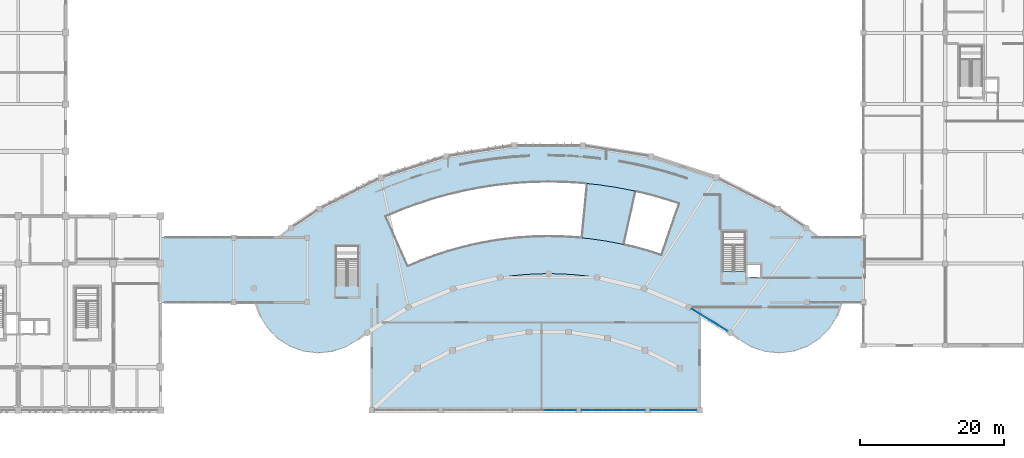
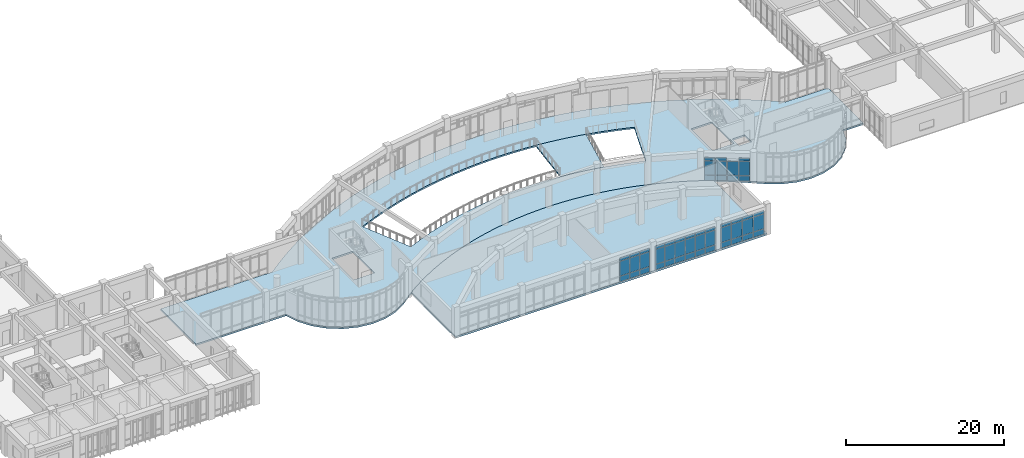
# One storey, part 41 of 68: 50 plates, 3 slabs, 5 elements without a shape of their own.
"""IFC4 building model written with IfcOpenShell, lengths in metres."""

from ifc_helpers import new_model, si_unit, direction, frame, origin, origin_2d, place, context, subcontext, project, spatial, polyline, rectangle, outline, extrude, material, layer, layer_set, type_object, element, aggregate, save


model = new_model("IFC4")

# Units and contexts
model_context = context("Model", 3, precision=1e-05, world=origin(), true_north=direction((0.0, 1.0)))
body_context = subcontext(model_context, "Body", "Model", "MODEL_VIEW")
ifc_project = project(units=[si_unit("LENGTHUNIT", "METRE"), si_unit("AREAUNIT", "SQUARE_METRE"), si_unit("VOLUMEUNIT", "CUBIC_METRE"), si_unit("PLANEANGLEUNIT", "RADIAN"), si_unit("MASSUNIT", "GRAM", prefix="KILO")], contexts=[model_context])

# Site, building, storey
site_placement = place(None, origin())
site = spatial("IfcSite", under=ifc_project, at=site_placement, CompositionType="ELEMENT")
building_placement = place(site_placement, origin())
building = spatial("IfcBuilding", under=site, at=building_placement, Name="Miralva Faculty of Natural Sciences", CompositionType="ELEMENT")
storey_placement = place(building_placement, frame((0.0, 0.0, 5.39990234375)))
storey = spatial("IfcBuildingStorey", under=building, at=storey_placement, Name="L01", CompositionType="ELEMENT", Elevation=5.39990234375)

# Curtain wall, plates
ifc_material_1 = material(Name="Laminated solar-control glass", Category="glass")
ifc_layer_1 = layer(ifc_material_1, 0.179931640625, Name="CW-ARC-L01")
ifc_layer_set_1 = layer_set([ifc_layer_1], Name="Laminated solar-control glass")
curtain_wall_type_1 = type_object("IfcCurtainWallType", Name="CW-ARC-L01", PredefinedType="USERDEFINED", material=ifc_layer_set_1)
curtain_wall_1_placement = place(storey_placement, origin())
curtain_wall_1 = element("IfcCurtainWall", 1, at=curtain_wall_1_placement, inside=storey, type_object=curtain_wall_type_1, Name="Curtain wall CW-02 L01-29", ObjectType="UNITISED CURTAIN WALL", PredefinedType="USERDEFINED")
ifc_layer_2 = layer(ifc_material_1, 0.028076171875, Name="PNL-P01")
ifc_layer_set_2 = layer_set([ifc_layer_2], Name="Laminated solar-control glass")
plate_type_1 = type_object("IfcPlateType", Name="PNL-P01", PredefinedType="CURTAIN_PANEL", material=ifc_layer_set_2)
plate_1_placement = place(storey_placement, frame((110.5263671875, 16.697509765625, 0.06494140625), z_axis=(0.0, 0.0, 1.0), x_axis=(0.852649987617, -0.522482534269, 0.0)))
plate_1 = element("IfcPlate", 2, at=plate_1_placement, type_object=plate_type_1, Name="CW-02 panel 1.1", PredefinedType="CURTAIN_PANEL", context=body_context, shape_type="SweptSolid", body=[
    extrude(rectangle(XDim=1.376953125, YDim=0.028076171875, at=origin_2d()), origin(), (0.0, 0.0, 1.0), 0.802490234375),
])
plate_2_placement = place(storey_placement, frame((110.5263671875, 16.697509765625, 0.9326171875), z_axis=(0.0, 0.0, 1.0), x_axis=(0.852649987617, -0.522482534269, 0.0)))
plate_2 = element("IfcPlate", 3, at=plate_2_placement, type_object=plate_type_1, Name="CW-02 panel 1.2", PredefinedType="CURTAIN_PANEL", context=body_context, shape_type="SweptSolid", body=[
    extrude(rectangle(XDim=1.376953125, YDim=0.028076171875, at=origin_2d()), origin(), (0.0, 0.0, 1.0), 2.139892578125),
])
plate_3_placement = place(storey_placement, frame((110.5263671875, 16.697509765625, 3.1376953125), z_axis=(0.0, 0.0, 1.0), x_axis=(0.852649987617, -0.522482534269, 0.0)))
plate_3 = element("IfcPlate", 4, at=plate_3_placement, type_object=plate_type_1, Name="CW-02 panel 1.3", PredefinedType="CURTAIN_PANEL", context=body_context, shape_type="SweptSolid", body=[
    extrude(rectangle(XDim=1.376953125, YDim=0.028076171875, at=origin_2d()), origin(), (0.0, 0.0, 1.0), 0.50244140625),
])
plate_4_placement = place(storey_placement, frame((111.755859375, 15.944091796875, 0.06494140625), z_axis=(0.0, 0.0, 1.0), x_axis=(0.852649987617, -0.522482534269, 0.0)))
plate_4 = element("IfcPlate", 5, at=plate_4_placement, type_object=plate_type_1, Name="CW-02 panel 2.1", PredefinedType="CURTAIN_PANEL", context=body_context, shape_type="SweptSolid", body=[
    extrude(rectangle(XDim=1.376953125, YDim=0.028076171875, at=origin_2d()), origin(), (0.0, 0.0, 1.0), 0.802490234375),
])
plate_5_placement = place(storey_placement, frame((111.755859375, 15.944091796875, 0.9326171875), z_axis=(0.0, 0.0, 1.0), x_axis=(0.852649987617, -0.522482534269, 0.0)))
plate_5 = element("IfcPlate", 6, at=plate_5_placement, type_object=plate_type_1, Name="CW-02 panel 2.2", PredefinedType="CURTAIN_PANEL", context=body_context, shape_type="SweptSolid", body=[
    extrude(rectangle(XDim=1.376953125, YDim=0.028076171875, at=origin_2d()), origin(), (0.0, 0.0, 1.0), 2.139892578125),
])
plate_6_placement = place(storey_placement, frame((111.755859375, 15.944091796875, 3.1376953125), z_axis=(0.0, 0.0, 1.0), x_axis=(0.852649987617, -0.522482534269, 0.0)))
plate_6 = element("IfcPlate", 7, at=plate_6_placement, type_object=plate_type_1, Name="CW-02 panel 2.3", PredefinedType="CURTAIN_PANEL", context=body_context, shape_type="SweptSolid", body=[
    extrude(rectangle(XDim=1.376953125, YDim=0.028076171875, at=origin_2d()), origin(), (0.0, 0.0, 1.0), 0.50244140625),
])
aggregate(curtain_wall_1, [plate_1, plate_2, plate_3, plate_4, plate_5, plate_6])

curtain_wall_2_placement = place(storey_placement, origin())
curtain_wall_2 = element("IfcCurtainWall", 8, at=curtain_wall_2_placement, inside=storey, type_object=curtain_wall_type_1, Name="Curtain wall CW-02 L01-30", ObjectType="UNITISED CURTAIN WALL", PredefinedType="USERDEFINED")
plate_7_placement = place(storey_placement, frame((113.037353515625, 15.15869140625, 0.06494140625), z_axis=(0.0, 0.0, 1.0), x_axis=(0.852646014098, -0.522489018681, 0.0)))
plate_7 = element("IfcPlate", 9, at=plate_7_placement, type_object=plate_type_1, Name="CW-02 panel 1.1", PredefinedType="CURTAIN_PANEL", context=body_context, shape_type="SweptSolid", body=[
    extrude(rectangle(XDim=1.37939453125, YDim=0.028076171875, at=origin_2d()), origin(), (0.0, 0.0, 1.0), 0.802490234375),
])
plate_8_placement = place(storey_placement, frame((113.037353515625, 15.15869140625, 0.9326171875), z_axis=(0.0, 0.0, 1.0), x_axis=(0.852646014098, -0.522489018681, 0.0)))
plate_8 = element("IfcPlate", 10, at=plate_8_placement, type_object=plate_type_1, Name="CW-02 panel 1.2", PredefinedType="CURTAIN_PANEL", context=body_context, shape_type="SweptSolid", body=[
    extrude(rectangle(XDim=1.37939453125, YDim=0.028076171875, at=origin_2d()), origin(), (0.0, 0.0, 1.0), 2.139892578125),
])
plate_9_placement = place(storey_placement, frame((114.268798828125, 14.404052734375, 0.06494140625), z_axis=(0.0, 0.0, 1.0), x_axis=(0.852646014098, -0.522489018681, 0.0)))
plate_9 = element("IfcPlate", 11, at=plate_9_placement, type_object=plate_type_1, Name="CW-02 panel 2.1", PredefinedType="CURTAIN_PANEL", context=body_context, shape_type="SweptSolid", body=[
    extrude(rectangle(XDim=1.37939453125, YDim=0.028076171875, at=origin_2d()), origin(), (0.0, 0.0, 1.0), 0.802490234375),
])
plate_10_placement = place(storey_placement, frame((114.268798828125, 14.404052734375, 0.9326171875), z_axis=(0.0, 0.0, 1.0), x_axis=(0.852646014098, -0.522489018681, 0.0)))
plate_10 = element("IfcPlate", 12, at=plate_10_placement, type_object=plate_type_1, Name="CW-02 panel 2.2", PredefinedType="CURTAIN_PANEL", context=body_context, shape_type="SweptSolid", body=[
    extrude(rectangle(XDim=1.37939453125, YDim=0.028076171875, at=origin_2d()), origin(), (0.0, 0.0, 1.0), 2.139892578125),
])
plate_11_placement = place(storey_placement, frame((114.268798828125, 14.404052734375, 3.1376953125), z_axis=(0.0, 0.0, 1.0), x_axis=(0.852646014098, -0.522489018681, 0.0)))
plate_11 = element("IfcPlate", 13, at=plate_11_placement, type_object=plate_type_1, Name="CW-02 panel 2.3", PredefinedType="CURTAIN_PANEL", context=body_context, shape_type="SweptSolid", body=[
    extrude(rectangle(XDim=1.37939453125, YDim=0.028076171875, at=origin_2d()), origin(), (0.0, 0.0, 1.0), 0.50244140625),
])
aggregate(curtain_wall_2, [plate_7, plate_8, plate_9, plate_10, plate_11])

ifc_layer_3 = layer(ifc_material_1, 0.179931640625, Name="CW-LEC-L01")
ifc_layer_set_3 = layer_set([ifc_layer_3], Name="Laminated solar-control glass")
curtain_wall_type_2 = type_object("IfcCurtainWallType", Name="CW-LEC-L01", PredefinedType="USERDEFINED", material=ifc_layer_set_3)
curtain_wall_3_placement = place(storey_placement, origin())
curtain_wall_3 = element("IfcCurtainWall", 14, at=curtain_wall_3_placement, inside=storey, type_object=curtain_wall_type_2, Name="Curtain wall CW-08 L01-208", ObjectType="UNITISED CURTAIN WALL", PredefinedType="USERDEFINED")
ifc_layer_4 = layer(ifc_material_1, 0.031982421875, Name="PNL-P02")
ifc_layer_set_4 = layer_set([ifc_layer_4], Name="Laminated solar-control glass")
plate_type_2 = type_object("IfcPlateType", Name="PNL-P02", PredefinedType="CURTAIN_PANEL", material=ifc_layer_set_4)
plate_12_placement = place(storey_placement, frame((90.13916015625, 3.0, 0.06494140625), z_axis=(0.0, 0.0, 1.0), x_axis=(1.0, 0.0, 0.0)))
plate_12 = element("IfcPlate", 15, at=plate_12_placement, type_object=plate_type_2, Name="CW-08 panel 4.1", PredefinedType="CURTAIN_PANEL", context=body_context, shape_type="SweptSolid", body=[
    extrude(rectangle(XDim=1.413330078125, YDim=0.031982421875, at=origin_2d()), origin(), (0.0, 0.0, 1.0), 0.802490234375),
])
plate_13_placement = place(storey_placement, frame((90.13916015625, 3.0, 0.9326171875), z_axis=(0.0, 0.0, 1.0), x_axis=(1.0, 0.0, 0.0)))
plate_13 = element("IfcPlate", 16, at=plate_13_placement, type_object=plate_type_2, Name="CW-08 panel 4.2", PredefinedType="CURTAIN_PANEL", context=body_context, shape_type="SweptSolid", body=[
    extrude(rectangle(XDim=1.413330078125, YDim=0.031982421875, at=origin_2d()), origin(), (0.0, 0.0, 1.0), 2.260009765625),
])
plate_14_placement = place(storey_placement, frame((90.13916015625, 3.0, 3.257568359375), z_axis=(0.0, 0.0, 1.0), x_axis=(1.0, 0.0, 0.0)))
plate_14 = element("IfcPlate", 17, at=plate_14_placement, type_object=plate_type_2, Name="CW-08 panel 4.3", PredefinedType="CURTAIN_PANEL", context=body_context, shape_type="SweptSolid", body=[
    extrude(rectangle(XDim=1.413330078125, YDim=0.031982421875, at=origin_2d()), origin(), (0.0, 0.0, 1.0), 0.50244140625),
])
plate_15_placement = place(storey_placement, frame((91.617431640625, 3.0, 0.06494140625), z_axis=(0.0, 0.0, 1.0), x_axis=(1.0, 0.0, 0.0)))
plate_15 = element("IfcPlate", 18, at=plate_15_placement, type_object=plate_type_2, Name="CW-08 panel 5.1", PredefinedType="CURTAIN_PANEL", context=body_context, shape_type="SweptSolid", body=[
    extrude(rectangle(XDim=1.413330078125, YDim=0.031982421875, at=origin_2d()), origin(), (0.0, 0.0, 1.0), 0.802490234375),
])
plate_16_placement = place(storey_placement, frame((91.617431640625, 3.0, 0.9326171875), z_axis=(0.0, 0.0, 1.0), x_axis=(1.0, 0.0, 0.0)))
plate_16 = element("IfcPlate", 19, at=plate_16_placement, type_object=plate_type_2, Name="CW-08 panel 5.2", PredefinedType="CURTAIN_PANEL", context=body_context, shape_type="SweptSolid", body=[
    extrude(rectangle(XDim=1.413330078125, YDim=0.031982421875, at=origin_2d()), origin(), (0.0, 0.0, 1.0), 2.260009765625),
])
plate_17_placement = place(storey_placement, frame((91.617431640625, 3.0, 3.257568359375), z_axis=(0.0, 0.0, 1.0), x_axis=(1.0, 0.0, 0.0)))
plate_17 = element("IfcPlate", 20, at=plate_17_placement, type_object=plate_type_2, Name="CW-08 panel 5.3", PredefinedType="CURTAIN_PANEL", context=body_context, shape_type="SweptSolid", body=[
    extrude(rectangle(XDim=1.413330078125, YDim=0.031982421875, at=origin_2d()), origin(), (0.0, 0.0, 1.0), 0.50244140625),
])
plate_18_placement = place(storey_placement, frame((93.07958984375, 3.0, 0.06494140625), z_axis=(0.0, 0.0, 1.0), x_axis=(1.0, 0.0, 0.0)))
plate_18 = element("IfcPlate", 21, at=plate_18_placement, type_object=plate_type_2, Name="CW-08 panel 6.1", PredefinedType="CURTAIN_PANEL", context=body_context, shape_type="SweptSolid", body=[
    extrude(rectangle(XDim=1.380859375, YDim=0.031982421875, at=origin_2d()), origin(), (0.0, 0.0, 1.0), 0.802490234375),
])
plate_19_placement = place(storey_placement, frame((93.07958984375, 3.0, 0.9326171875), z_axis=(0.0, 0.0, 1.0), x_axis=(1.0, 0.0, 0.0)))
plate_19 = element("IfcPlate", 22, at=plate_19_placement, type_object=plate_type_2, Name="CW-08 panel 6.2", PredefinedType="CURTAIN_PANEL", context=body_context, shape_type="SweptSolid", body=[
    extrude(rectangle(XDim=1.380859375, YDim=0.031982421875, at=origin_2d()), origin(), (0.0, 0.0, 1.0), 2.260009765625),
])
plate_20_placement = place(storey_placement, frame((93.07958984375, 3.0, 3.257568359375), z_axis=(0.0, 0.0, 1.0), x_axis=(1.0, 0.0, 0.0)))
plate_20 = element("IfcPlate", 23, at=plate_20_placement, type_object=plate_type_2, Name="CW-08 panel 6.3", PredefinedType="CURTAIN_PANEL", context=body_context, shape_type="SweptSolid", body=[
    extrude(rectangle(XDim=1.380859375, YDim=0.031982421875, at=origin_2d()), origin(), (0.0, 0.0, 1.0), 0.50244140625),
])
aggregate(curtain_wall_3, [plate_12, plate_13, plate_14, plate_15, plate_16, plate_17, plate_18, plate_19, plate_20])

curtain_wall_4_placement = place(storey_placement, origin())
curtain_wall_4 = element("IfcCurtainWall", 24, at=curtain_wall_4_placement, inside=storey, type_object=curtain_wall_type_2, Name="Curtain wall CW-08 L01-209", ObjectType="UNITISED CURTAIN WALL", PredefinedType="USERDEFINED")
plate_21_placement = place(storey_placement, frame((95.3203125, 3.0, 0.06494140625), z_axis=(0.0, 0.0, 1.0), x_axis=(1.0, 0.0, 0.0)))
plate_21 = element("IfcPlate", 25, at=plate_21_placement, type_object=plate_type_2, Name="CW-08 panel 1.1", PredefinedType="CURTAIN_PANEL", context=body_context, shape_type="SweptSolid", body=[
    extrude(rectangle(XDim=1.380859375, YDim=0.031982421875, at=origin_2d()), origin(), (0.0, 0.0, 1.0), 0.802490234375),
])
plate_22_placement = place(storey_placement, frame((95.3203125, 3.0, 0.9326171875), z_axis=(0.0, 0.0, 1.0), x_axis=(1.0, 0.0, 0.0)))
plate_22 = element("IfcPlate", 26, at=plate_22_placement, type_object=plate_type_2, Name="CW-08 panel 1.2", PredefinedType="CURTAIN_PANEL", context=body_context, shape_type="SweptSolid", body=[
    extrude(rectangle(XDim=1.380859375, YDim=0.031982421875, at=origin_2d()), origin(), (0.0, 0.0, 1.0), 2.260009765625),
])
plate_23_placement = place(storey_placement, frame((95.3203125, 3.0, 3.257568359375), z_axis=(0.0, 0.0, 1.0), x_axis=(1.0, 0.0, 0.0)))
plate_23 = element("IfcPlate", 27, at=plate_23_placement, type_object=plate_type_2, Name="CW-08 panel 1.3", PredefinedType="CURTAIN_PANEL", context=body_context, shape_type="SweptSolid", body=[
    extrude(rectangle(XDim=1.380859375, YDim=0.031982421875, at=origin_2d()), origin(), (0.0, 0.0, 1.0), 0.50244140625),
])
plate_24_placement = place(storey_placement, frame((96.782470703125, 3.0, 0.06494140625), z_axis=(0.0, 0.0, 1.0), x_axis=(1.0, 0.0, 0.0)))
plate_24 = element("IfcPlate", 28, at=plate_24_placement, type_object=plate_type_2, Name="CW-08 panel 2.1", PredefinedType="CURTAIN_PANEL", context=body_context, shape_type="SweptSolid", body=[
    extrude(rectangle(XDim=1.413330078125, YDim=0.031982421875, at=origin_2d()), origin(), (0.0, 0.0, 1.0), 0.802490234375),
])
plate_25_placement = place(storey_placement, frame((96.782470703125, 3.0, 0.9326171875), z_axis=(0.0, 0.0, 1.0), x_axis=(1.0, 0.0, 0.0)))
plate_25 = element("IfcPlate", 29, at=plate_25_placement, type_object=plate_type_2, Name="CW-08 panel 2.2", PredefinedType="CURTAIN_PANEL", context=body_context, shape_type="SweptSolid", body=[
    extrude(rectangle(XDim=1.413330078125, YDim=0.031982421875, at=origin_2d()), origin(), (0.0, 0.0, 1.0), 2.260009765625),
])
plate_26_placement = place(storey_placement, frame((96.782470703125, 3.0, 3.257568359375), z_axis=(0.0, 0.0, 1.0), x_axis=(1.0, 0.0, 0.0)))
plate_26 = element("IfcPlate", 30, at=plate_26_placement, type_object=plate_type_2, Name="CW-08 panel 2.3", PredefinedType="CURTAIN_PANEL", context=body_context, shape_type="SweptSolid", body=[
    extrude(rectangle(XDim=1.413330078125, YDim=0.031982421875, at=origin_2d()), origin(), (0.0, 0.0, 1.0), 0.50244140625),
])
plate_27_placement = place(storey_placement, frame((98.2607421875, 3.0, 0.06494140625), z_axis=(0.0, 0.0, 1.0), x_axis=(1.0, 0.0, 0.0)))
plate_27 = element("IfcPlate", 31, at=plate_27_placement, type_object=plate_type_2, Name="CW-08 panel 3.1", PredefinedType="CURTAIN_PANEL", context=body_context, shape_type="SweptSolid", body=[
    extrude(rectangle(XDim=1.413330078125, YDim=0.031982421875, at=origin_2d()), origin(), (0.0, 0.0, 1.0), 0.802490234375),
])
plate_28_placement = place(storey_placement, frame((98.2607421875, 3.0, 0.9326171875), z_axis=(0.0, 0.0, 1.0), x_axis=(1.0, 0.0, 0.0)))
plate_28 = element("IfcPlate", 32, at=plate_28_placement, type_object=plate_type_2, Name="CW-08 panel 3.2", PredefinedType="CURTAIN_PANEL", context=body_context, shape_type="SweptSolid", body=[
    extrude(rectangle(XDim=1.413330078125, YDim=0.031982421875, at=origin_2d()), origin(), (0.0, 0.0, 1.0), 2.260009765625),
])
plate_29_placement = place(storey_placement, frame((98.2607421875, 3.0, 3.257568359375), z_axis=(0.0, 0.0, 1.0), x_axis=(1.0, 0.0, 0.0)))
plate_29 = element("IfcPlate", 33, at=plate_29_placement, type_object=plate_type_2, Name="CW-08 panel 3.3", PredefinedType="CURTAIN_PANEL", context=body_context, shape_type="SweptSolid", body=[
    extrude(rectangle(XDim=1.413330078125, YDim=0.031982421875, at=origin_2d()), origin(), (0.0, 0.0, 1.0), 0.50244140625),
])
plate_30_placement = place(storey_placement, frame((99.7392578125, 3.0, 0.06494140625), z_axis=(0.0, 0.0, 1.0), x_axis=(1.0, 0.0, 0.0)))
plate_30 = element("IfcPlate", 34, at=plate_30_placement, type_object=plate_type_2, Name="CW-08 panel 4.1", PredefinedType="CURTAIN_PANEL", context=body_context, shape_type="SweptSolid", body=[
    extrude(rectangle(XDim=1.413330078125, YDim=0.031982421875, at=origin_2d()), origin(), (0.0, 0.0, 1.0), 0.802490234375),
])
plate_31_placement = place(storey_placement, frame((99.7392578125, 3.0, 0.9326171875), z_axis=(0.0, 0.0, 1.0), x_axis=(1.0, 0.0, 0.0)))
plate_31 = element("IfcPlate", 35, at=plate_31_placement, type_object=plate_type_2, Name="CW-08 panel 4.2", PredefinedType="CURTAIN_PANEL", context=body_context, shape_type="SweptSolid", body=[
    extrude(rectangle(XDim=1.413330078125, YDim=0.031982421875, at=origin_2d()), origin(), (0.0, 0.0, 1.0), 2.260009765625),
])
plate_32_placement = place(storey_placement, frame((99.7392578125, 3.0, 3.257568359375), z_axis=(0.0, 0.0, 1.0), x_axis=(1.0, 0.0, 0.0)))
plate_32 = element("IfcPlate", 36, at=plate_32_placement, type_object=plate_type_2, Name="CW-08 panel 4.3", PredefinedType="CURTAIN_PANEL", context=body_context, shape_type="SweptSolid", body=[
    extrude(rectangle(XDim=1.413330078125, YDim=0.031982421875, at=origin_2d()), origin(), (0.0, 0.0, 1.0), 0.50244140625),
])
plate_33_placement = place(storey_placement, frame((101.217529296875, 3.0, 0.06494140625), z_axis=(0.0, 0.0, 1.0), x_axis=(1.0, 0.0, 0.0)))
plate_33 = element("IfcPlate", 37, at=plate_33_placement, type_object=plate_type_2, Name="CW-08 panel 5.1", PredefinedType="CURTAIN_PANEL", context=body_context, shape_type="SweptSolid", body=[
    extrude(rectangle(XDim=1.413330078125, YDim=0.031982421875, at=origin_2d()), origin(), (0.0, 0.0, 1.0), 0.802490234375),
])
plate_34_placement = place(storey_placement, frame((101.217529296875, 3.0, 0.9326171875), z_axis=(0.0, 0.0, 1.0), x_axis=(1.0, 0.0, 0.0)))
plate_34 = element("IfcPlate", 38, at=plate_34_placement, type_object=plate_type_2, Name="CW-08 panel 5.2", PredefinedType="CURTAIN_PANEL", context=body_context, shape_type="SweptSolid", body=[
    extrude(rectangle(XDim=1.413330078125, YDim=0.031982421875, at=origin_2d()), origin(), (0.0, 0.0, 1.0), 2.260009765625),
])
plate_35_placement = place(storey_placement, frame((101.217529296875, 3.0, 3.257568359375), z_axis=(0.0, 0.0, 1.0), x_axis=(1.0, 0.0, 0.0)))
plate_35 = element("IfcPlate", 39, at=plate_35_placement, type_object=plate_type_2, Name="CW-08 panel 5.3", PredefinedType="CURTAIN_PANEL", context=body_context, shape_type="SweptSolid", body=[
    extrude(rectangle(XDim=1.413330078125, YDim=0.031982421875, at=origin_2d()), origin(), (0.0, 0.0, 1.0), 0.50244140625),
])
plate_36_placement = place(storey_placement, frame((102.6796875, 3.0, 0.06494140625), z_axis=(0.0, 0.0, 1.0), x_axis=(1.0, 0.0, 0.0)))
plate_36 = element("IfcPlate", 40, at=plate_36_placement, type_object=plate_type_2, Name="CW-08 panel 6.1", PredefinedType="CURTAIN_PANEL", context=body_context, shape_type="SweptSolid", body=[
    extrude(rectangle(XDim=1.380859375, YDim=0.031982421875, at=origin_2d()), origin(), (0.0, 0.0, 1.0), 0.802490234375),
])
plate_37_placement = place(storey_placement, frame((102.6796875, 3.0, 0.9326171875), z_axis=(0.0, 0.0, 1.0), x_axis=(1.0, 0.0, 0.0)))
plate_37 = element("IfcPlate", 41, at=plate_37_placement, type_object=plate_type_2, Name="CW-08 panel 6.2", PredefinedType="CURTAIN_PANEL", context=body_context, shape_type="SweptSolid", body=[
    extrude(rectangle(XDim=1.380859375, YDim=0.031982421875, at=origin_2d()), origin(), (0.0, 0.0, 1.0), 2.260009765625),
])
plate_38_placement = place(storey_placement, frame((102.6796875, 3.0, 3.257568359375), z_axis=(0.0, 0.0, 1.0), x_axis=(1.0, 0.0, 0.0)))
plate_38 = element("IfcPlate", 42, at=plate_38_placement, type_object=plate_type_2, Name="CW-08 panel 6.3", PredefinedType="CURTAIN_PANEL", context=body_context, shape_type="SweptSolid", body=[
    extrude(rectangle(XDim=1.380859375, YDim=0.031982421875, at=origin_2d()), origin(), (0.0, 0.0, 1.0), 0.50244140625),
])
aggregate(curtain_wall_4, [plate_21, plate_22, plate_23, plate_24, plate_25, plate_26, plate_27, plate_28, plate_29, plate_30, plate_31, plate_32, plate_33, plate_34, plate_35, plate_36, plate_37, plate_38])

curtain_wall_5_placement = place(storey_placement, origin())
curtain_wall_5 = element("IfcCurtainWall", 43, at=curtain_wall_5_placement, inside=storey, type_object=curtain_wall_type_2, Name="Curtain wall CW-08 L01-210", ObjectType="UNITISED CURTAIN WALL", PredefinedType="USERDEFINED")
plate_39_placement = place(storey_placement, frame((104.989990234375, 3.0, 0.06494140625), z_axis=(0.0, 0.0, 1.0), x_axis=(1.0, 0.0, 0.0)))
plate_39 = element("IfcPlate", 44, at=plate_39_placement, type_object=plate_type_2, Name="CW-08 panel 1.1", PredefinedType="CURTAIN_PANEL", context=body_context, shape_type="SweptSolid", body=[
    extrude(rectangle(XDim=1.52001953125, YDim=0.031982421875, at=origin_2d()), origin(), (0.0, 0.0, 1.0), 0.802490234375),
])
plate_40_placement = place(storey_placement, frame((104.989990234375, 3.0, 0.9326171875), z_axis=(0.0, 0.0, 1.0), x_axis=(1.0, 0.0, 0.0)))
plate_40 = element("IfcPlate", 45, at=plate_40_placement, type_object=plate_type_2, Name="CW-08 panel 1.2", PredefinedType="CURTAIN_PANEL", context=body_context, shape_type="SweptSolid", body=[
    extrude(rectangle(XDim=1.52001953125, YDim=0.031982421875, at=origin_2d()), origin(), (0.0, 0.0, 1.0), 2.260009765625),
])
plate_41_placement = place(storey_placement, frame((104.989990234375, 3.0, 3.257568359375), z_axis=(0.0, 0.0, 1.0), x_axis=(1.0, 0.0, 0.0)))
plate_41 = element("IfcPlate", 46, at=plate_41_placement, type_object=plate_type_2, Name="CW-08 panel 1.3", PredefinedType="CURTAIN_PANEL", context=body_context, shape_type="SweptSolid", body=[
    extrude(rectangle(XDim=1.52001953125, YDim=0.031982421875, at=origin_2d()), origin(), (0.0, 0.0, 1.0), 0.50244140625),
])
plate_42_placement = place(storey_placement, frame((106.59130859375, 3.0, 0.06494140625), z_axis=(0.0, 0.0, 1.0), x_axis=(1.0, 0.0, 0.0)))
plate_42 = element("IfcPlate", 47, at=plate_42_placement, type_object=plate_type_2, Name="CW-08 panel 2.1", PredefinedType="CURTAIN_PANEL", context=body_context, shape_type="SweptSolid", body=[
    extrude(rectangle(XDim=1.552490234375, YDim=0.031982421875, at=origin_2d()), origin(), (0.0, 0.0, 1.0), 0.802490234375),
])
plate_43_placement = place(storey_placement, frame((106.59130859375, 3.0, 0.9326171875), z_axis=(0.0, 0.0, 1.0), x_axis=(1.0, 0.0, 0.0)))
plate_43 = element("IfcPlate", 48, at=plate_43_placement, type_object=plate_type_2, Name="CW-08 panel 2.2", PredefinedType="CURTAIN_PANEL", context=body_context, shape_type="SweptSolid", body=[
    extrude(rectangle(XDim=1.552490234375, YDim=0.031982421875, at=origin_2d()), origin(), (0.0, 0.0, 1.0), 2.260009765625),
])
plate_44_placement = place(storey_placement, frame((106.59130859375, 3.0, 3.257568359375), z_axis=(0.0, 0.0, 1.0), x_axis=(1.0, 0.0, 0.0)))
plate_44 = element("IfcPlate", 49, at=plate_44_placement, type_object=plate_type_2, Name="CW-08 panel 2.3", PredefinedType="CURTAIN_PANEL", context=body_context, shape_type="SweptSolid", body=[
    extrude(rectangle(XDim=1.552490234375, YDim=0.031982421875, at=origin_2d()), origin(), (0.0, 0.0, 1.0), 0.50244140625),
])
plate_45_placement = place(storey_placement, frame((108.208740234375, 3.0, 0.06494140625), z_axis=(0.0, 0.0, 1.0), x_axis=(1.0, 0.0, 0.0)))
plate_45 = element("IfcPlate", 50, at=plate_45_placement, type_object=plate_type_2, Name="CW-08 panel 3.1", PredefinedType="CURTAIN_PANEL", context=body_context, shape_type="SweptSolid", body=[
    extrude(rectangle(XDim=1.552490234375, YDim=0.031982421875, at=origin_2d()), origin(), (0.0, 0.0, 1.0), 0.802490234375),
])
plate_46_placement = place(storey_placement, frame((108.208740234375, 3.0, 0.9326171875), z_axis=(0.0, 0.0, 1.0), x_axis=(1.0, 0.0, 0.0)))
plate_46 = element("IfcPlate", 51, at=plate_46_placement, type_object=plate_type_2, Name="CW-08 panel 3.2", PredefinedType="CURTAIN_PANEL", context=body_context, shape_type="SweptSolid", body=[
    extrude(rectangle(XDim=1.552490234375, YDim=0.031982421875, at=origin_2d()), origin(), (0.0, 0.0, 1.0), 2.260009765625),
])
plate_47_placement = place(storey_placement, frame((108.208740234375, 3.0, 3.257568359375), z_axis=(0.0, 0.0, 1.0), x_axis=(1.0, 0.0, 0.0)))
plate_47 = element("IfcPlate", 52, at=plate_47_placement, type_object=plate_type_2, Name="CW-08 panel 3.3", PredefinedType="CURTAIN_PANEL", context=body_context, shape_type="SweptSolid", body=[
    extrude(rectangle(XDim=1.552490234375, YDim=0.031982421875, at=origin_2d()), origin(), (0.0, 0.0, 1.0), 0.50244140625),
])
plate_48_placement = place(storey_placement, frame((109.81005859375, 3.0, 0.06494140625), z_axis=(0.0, 0.0, 1.0), x_axis=(1.0, 0.0, 0.0)))
plate_48 = element("IfcPlate", 53, at=plate_48_placement, type_object=plate_type_2, Name="CW-08 panel 4.1", PredefinedType="CURTAIN_PANEL", context=body_context, shape_type="SweptSolid", body=[
    extrude(rectangle(XDim=1.52001953125, YDim=0.031982421875, at=origin_2d()), origin(), (0.0, 0.0, 1.0), 0.802490234375),
])
plate_49_placement = place(storey_placement, frame((109.81005859375, 3.0, 0.9326171875), z_axis=(0.0, 0.0, 1.0), x_axis=(1.0, 0.0, 0.0)))
plate_49 = element("IfcPlate", 54, at=plate_49_placement, type_object=plate_type_2, Name="CW-08 panel 4.2", PredefinedType="CURTAIN_PANEL", context=body_context, shape_type="SweptSolid", body=[
    extrude(rectangle(XDim=1.52001953125, YDim=0.031982421875, at=origin_2d()), origin(), (0.0, 0.0, 1.0), 2.260009765625),
])
plate_50_placement = place(storey_placement, frame((109.81005859375, 3.0, 3.257568359375), z_axis=(0.0, 0.0, 1.0), x_axis=(1.0, 0.0, 0.0)))
plate_50 = element("IfcPlate", 55, at=plate_50_placement, type_object=plate_type_2, Name="CW-08 panel 4.3", PredefinedType="CURTAIN_PANEL", context=body_context, shape_type="SweptSolid", body=[
    extrude(rectangle(XDim=1.52001953125, YDim=0.031982421875, at=origin_2d()), origin(), (0.0, 0.0, 1.0), 0.50244140625),
])
aggregate(curtain_wall_5, [plate_39, plate_40, plate_41, plate_42, plate_43, plate_44, plate_45, plate_46, plate_47, plate_48, plate_49, plate_50])

# Slabs
ifc_material_2 = material(Name="Concrete C40/50", Category="concrete")
ifc_layer_5 = layer(ifc_material_2, 0.280029296875, Name="SL-FL02")
ifc_layer_set_5 = layer_set([ifc_layer_5], Name="Concrete C40/50")
slab_type_1 = type_object("IfcSlabType", Name="SL-FL02", PredefinedType="FLOOR", material=ifc_layer_set_5)
slab_1_placement = place(storey_placement, frame((0.0, 0.0, -0.27978515625)))
element("IfcSlab", 56, at=slab_1_placement, inside=storey, type_object=slab_type_1, Name="V1 L01 floor slab", PredefinedType="FLOOR", context=body_context, shape_type="SweptSolid", body=[
    extrude(outline(polyline([(111.0, 3.0), (65.39990234375, 3.0), (65.39990234375, 14.2587890625), (66.248291015625, 14.844970703125), (67.66455078125, 15.743896484375), (69.114501953125, 16.587158203125), (70.596435546875, 17.373291015625), (72.10791015625, 18.100830078125), (73.646484375, 18.768798828125), (75.210205078125, 19.37646484375), (76.79638671875, 19.922607421875), (78.40234375, 20.406494140625), (80.0263671875, 20.827392578125), (81.665283203125, 21.1845703125), (83.31689453125, 21.4775390625), (84.978759765625, 21.705810546875), (86.648193359375, 21.869140625), (88.322998046875, 21.96728515625), (90.0, 22.0), (91.677001953125, 21.96728515625), (93.351806640625, 21.869140625), (95.021240234375, 21.705810546875), (96.68310546875, 21.4775390625), (98.334716796875, 21.1845703125), (99.9736328125, 20.827392578125), (101.59765625, 20.406494140625), (103.20361328125, 19.922607421875), (104.789794921875, 19.37646484375), (106.353515625, 18.768798828125), (107.89208984375, 18.100830078125), (109.403564453125, 17.373291015625), (110.885498046875, 16.587158203125), (111.0, 16.5205078125), (111.0, 3.0)])), origin(), (0.0, 0.0, 1.0), 0.27978515625),
])
ifc_layer_6 = layer(ifc_material_2, 0.239990234375, Name="SL-FL03")
ifc_layer_set_6 = layer_set([ifc_layer_6], Name="Concrete C40/50")
slab_type_2 = type_object("IfcSlabType", Name="SL-FL03", PredefinedType="FLOOR", material=ifc_layer_set_6)
slab_2_placement = place(storey_placement, frame((0.0, 0.0, -0.239990234375)))
element("IfcSlab", 57, at=slab_2_placement, inside=storey, type_object=slab_type_2, Name="V3 L01 floor slab", PredefinedType="FLOOR", context=body_context, shape_type="SweptSolid", body=[
    extrude(outline(polyline([(36.0, 27.0), (52.37451171875, 27.0), (52.444580078125, 27.068603515625), (54.34814453125, 28.496826171875), (56.3056640625, 29.849609375), (58.314697265625, 31.125244140625), (60.371826171875, 32.3212890625), (62.47412109375, 33.436279296875), (64.618408203125, 34.468505859375), (66.801025390625, 35.41650390625), (69.01904296875, 36.2783203125), (71.26904296875, 37.052978515625), (73.547607421875, 37.739501953125), (75.851318359375, 38.33642578125), (78.17626953125, 38.843017578125), (80.519287109375, 39.2587890625), (82.876953125, 39.582763671875), (85.2451171875, 39.814453125), (87.620849609375, 39.95361328125), (90.0, 40.0), (92.379150390625, 39.95361328125), (94.7548828125, 39.814453125), (97.123046875, 39.582763671875), (99.480712890625, 39.2587890625), (101.82373046875, 38.843017578125), (104.148681640625, 38.33642578125), (106.452392578125, 37.739501953125), (108.73095703125, 37.052978515625), (110.98095703125, 36.2783203125), (113.198974609375, 35.41650390625), (115.381591796875, 34.468505859375), (117.52587890625, 33.436279296875), (119.628173828125, 32.3212890625), (121.685302734375, 31.125244140625), (123.6943359375, 29.849609375), (125.65185546875, 28.496826171875), (127.555419921875, 27.068603515625), (127.62548828125, 27.0), (133.800048828125, 27.0), (133.800048828125, 18.0), (130.78759765625, 18.0), (130.808349609375, 18.0615234375), (130.16162109375, 16.152587890625), (129.1064453125, 14.435546875), (127.69580078125, 12.996337890625), (126.0, 11.9072265625), (124.1044921875, 11.22265625), (122.104248046875, 10.97705078125), (120.099365234375, 11.1826171875), (118.1904296875, 11.829345703125), (116.473388671875, 12.884521484375), (115.131591796875, 13.89111328125), (113.751708984375, 14.844970703125), (112.33544921875, 15.743896484375), (110.885498046875, 16.587158203125), (109.403564453125, 17.373291015625), (107.89208984375, 18.100830078125), (106.353515625, 18.768798828125), (104.789794921875, 19.37646484375), (103.20361328125, 19.922607421875), (101.59765625, 20.406494140625), (99.9736328125, 20.827392578125), (98.334716796875, 21.1845703125), (96.68310546875, 21.4775390625), (95.021240234375, 21.705810546875), (93.351806640625, 21.869140625), (91.677001953125, 21.96728515625), (90.0, 22.0), (88.322998046875, 21.96728515625), (86.648193359375, 21.869140625), (84.978759765625, 21.705810546875), (83.31689453125, 21.4775390625), (81.665283203125, 21.1845703125), (80.0263671875, 20.827392578125), (78.40234375, 20.406494140625), (76.79638671875, 19.922607421875), (75.210205078125, 19.37646484375), (73.646484375, 18.768798828125), (72.10791015625, 18.100830078125), (70.596435546875, 17.373291015625), (69.114501953125, 16.587158203125), (67.66455078125, 15.743896484375), (66.248291015625, 14.844970703125), (64.868408203125, 13.89111328125), (63.526611328125, 12.884521484375), (61.8095703125, 11.829345703125), (59.900634765625, 11.1826171875), (57.895751953125, 10.97705078125), (55.8955078125, 11.22265625), (54.0, 11.9072265625), (52.30419921875, 12.996337890625), (50.8935546875, 14.435546875), (49.83837890625, 16.152587890625), (49.21240234375, 18.0), (36.0, 18.0), (36.0, 27.0)]), holes=[polyline([(117.324951171875, 22.324951171875), (114.22509765625, 22.324951171875), (114.22509765625, 27.824951171875), (117.324951171875, 27.824951171875), (117.324951171875, 22.324951171875)]), polyline([(119.449951171875, 21.52490234375), (117.64990234375, 21.52490234375), (117.64990234375, 23.27490234375), (119.449951171875, 23.27490234375), (119.449951171875, 21.52490234375)]), polyline([(63.52490234375, 20.324951171875), (60.425048828125, 20.324951171875), (60.425048828125, 25.824951171875), (63.52490234375, 25.824951171875), (63.52490234375, 20.324951171875)]), polyline([(70.395263671875, 23.032958984375), (67.30419921875, 29.975830078125), (69.448486328125, 30.87744140625), (71.62890625, 31.689208984375), (73.841064453125, 32.408935546875), (76.081298828125, 33.0361328125), (78.345703125, 33.5693359375), (80.63037109375, 34.0078125), (82.931396484375, 34.3505859375), (85.244384765625, 34.596923828125), (87.56591796875, 34.746826171875), (89.891845703125, 34.7998046875), (92.2177734375, 34.755859375), (94.539794921875, 34.614990234375), (96.85400390625, 34.37744140625), (99.15625, 34.043701171875), (101.442626953125, 33.6142578125), (103.708984375, 33.089599609375), (105.951904296875, 32.47119140625), (108.166748046875, 31.760009765625), (105.6923828125, 24.573974609375), (103.779052734375, 25.1884765625), (101.841796875, 25.72265625), (99.88427734375, 26.17578125), (97.9091796875, 26.546630859375), (95.92041015625, 26.8349609375), (93.92138671875, 27.040283203125), (91.915771484375, 27.161865234375), (89.906494140625, 27.199951171875), (87.8974609375, 27.154052734375), (85.89208984375, 27.024658203125), (83.89404296875, 26.811767578125), (81.906494140625, 26.515625), (79.932861328125, 26.136962890625), (77.976806640625, 25.676513671875), (76.041748046875, 25.134765625), (74.131103515625, 24.5126953125), (72.247802734375, 23.811767578125), (70.395263671875, 23.032958984375)])]), origin(), (0.0, 0.0, 1.0), 0.239990234375),
])
ifc_layer_7 = layer(ifc_material_2, 0.199951171875, Name="SL-FL05")
ifc_layer_set_7 = layer_set([ifc_layer_7], Name="Concrete C40/50")
slab_type_3 = type_object("IfcSlabType", Name="SL-FL05", PredefinedType="FLOOR", material=ifc_layer_set_7)
slab_3_placement = place(storey_placement, frame((0.0, 0.0, -0.199951171875)))
element("IfcSlab", 58, at=slab_3_placement, inside=storey, type_object=slab_type_3, Name="Atrium Curved White Gallery Bridge L01", PredefinedType="FLOOR", context=body_context, shape_type="SweptSolid", body=[
    extrude(outline(polyline([(95.34716796875, 34.531982421875), (96.85400390625, 34.37744140625), (99.15625, 34.043701171875), (101.442626953125, 33.6142578125), (102.0751953125, 33.4677734375), (100.4306640625, 26.04931640625), (99.88427734375, 26.17578125), (97.9091796875, 26.546630859375), (95.92041015625, 26.8349609375), (94.618896484375, 26.968505859375), (95.34716796875, 34.531982421875)])), origin(), (0.0, 0.0, 1.0), 0.199951171875),
])

save(model, "model.ifc")
